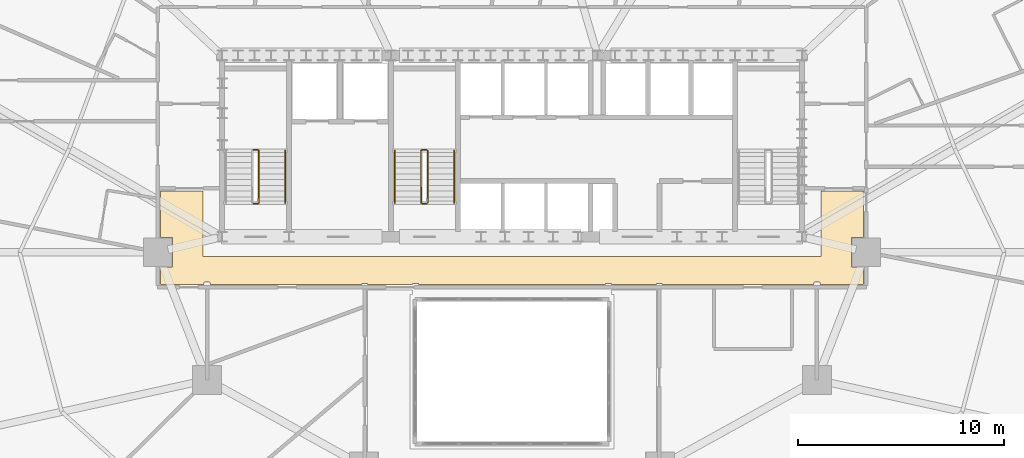
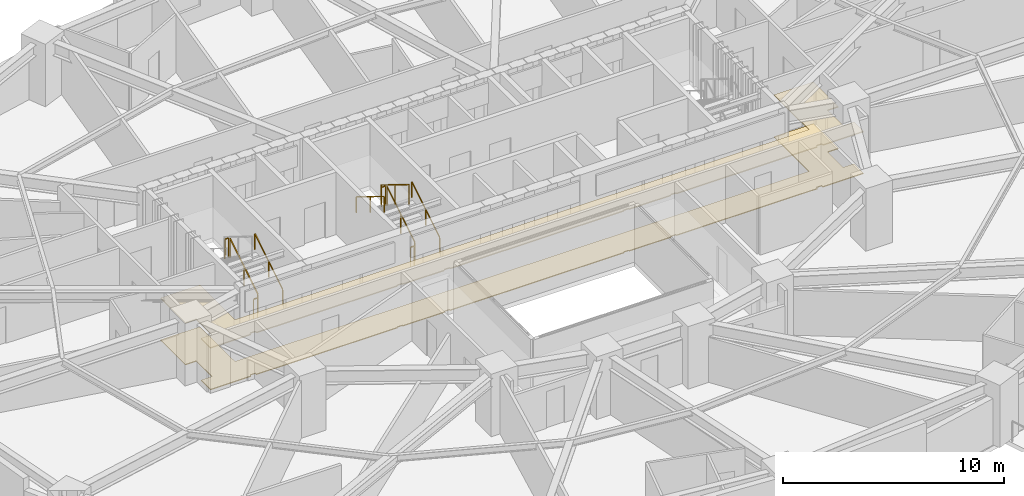
# One storey, part 15 of 17: 10 railings, 2 coverings.
"""IFC4 building model written with IfcOpenShell, lengths in metres."""

from ifc_helpers import new_model, si_unit, direction, frame, origin, origin_2d, place, context, subcontext, project, spatial, polyline, rectangle, outline, extrude, material, layer, layer_set, type_object, element, save


model = new_model("IFC4")

# Units and contexts
model_context = context("Model", 3, precision=1e-05, world=origin(), true_north=direction((0.0, 1.0)))
body_context = subcontext(model_context, "Body", "Model", "MODEL_VIEW")
ifc_project = project(units=[si_unit("LENGTHUNIT", "METRE"), si_unit("AREAUNIT", "SQUARE_METRE"), si_unit("VOLUMEUNIT", "CUBIC_METRE"), si_unit("PLANEANGLEUNIT", "RADIAN"), si_unit("MASSUNIT", "GRAM", prefix="KILO")], contexts=[model_context])

# Site, building, storey
site_placement = place(None, origin())
site = spatial("IfcSite", under=ifc_project, at=site_placement, CompositionType="ELEMENT")
building_placement = place(site_placement, origin())
building = spatial("IfcBuilding", under=site, at=building_placement, Name="Haldorwick Loom Tower", CompositionType="ELEMENT")
storey_placement = place(building_placement, frame((0.0, 0.0, 51.60009765625)))
storey = spatial("IfcBuildingStorey", under=building, at=storey_placement, Name="L13", CompositionType="ELEMENT", Elevation=51.60009765625)

# Coverings
ifc_material_1 = material(Name="Mineral Fibre Acoustic Ceiling Tile")
ifc_layer_1 = layer(ifc_material_1, 0.054931640625, Name="Mineral Fibre Acoustic Ceiling Tile")
ifc_layer_set_1 = layer_set([ifc_layer_1], Name="Mineral Fibre Acoustic Ceiling Tile")
covering_type_1 = type_object("IfcCoveringType", Name="ARC-COV-CEIL2", PredefinedType="CEILING", material=ifc_layer_set_1)
covering_1_placement = place(storey_placement, frame((0.0, 0.0, 2.302001953125)))
element("IfcCovering", 1, at=covering_1_placement, inside=storey, type_object=covering_type_1, Name="L13 Acoustic Suspended Ceiling 2", PredefinedType="CEILING", context=body_context, shape_type="SweptSolid", body=[
    extrude(outline(polyline([(51.0, 28.9599609375), (51.0, 25.800048828125), (21.0, 25.800048828125), (21.0, 28.9599609375), (18.93994140625, 28.9599609375), (18.93994140625, 26.7080078125), (19.508056640625, 26.7080078125), (19.508056640625, 25.2919921875), (18.93994140625, 25.2919921875), (18.93994140625, 24.43994140625), (21.06005859375, 24.43994140625), (21.06005859375, 24.52001953125), (21.06005859375, 24.52197265625), (21.060302734375, 24.52392578125), (21.060791015625, 24.52587890625), (21.0615234375, 24.527587890625), (21.0625, 24.529296875), (21.0634765625, 24.531005859375), (21.064453125, 24.53271484375), (21.06591796875, 24.5341796875), (21.0673828125, 24.535400390625), (21.06884765625, 24.53662109375), (21.070556640625, 24.53759765625), (21.072265625, 24.53857421875), (21.07421875, 24.5390625), (21.076171875, 24.53955078125), (21.077880859375, 24.539794921875), (21.080078125, 24.5400390625), (21.320068359375, 24.5400390625), (21.322021484375, 24.539794921875), (21.323974609375, 24.53955078125), (21.32568359375, 24.5390625), (21.32763671875, 24.53857421875), (21.329345703125, 24.53759765625), (21.3310546875, 24.53662109375), (21.332763671875, 24.535400390625), (21.333984375, 24.5341796875), (21.33544921875, 24.53271484375), (21.336669921875, 24.531005859375), (21.337646484375, 24.529296875), (21.33837890625, 24.527587890625), (21.339111328125, 24.52587890625), (21.339599609375, 24.52392578125), (21.33984375, 24.52197265625), (21.340087890625, 24.52001953125), (21.340087890625, 24.43994140625), (28.7099609375, 24.43994140625), (28.7099609375, 24.469970703125), (28.710205078125, 24.471923828125), (28.71044921875, 24.473876953125), (28.7109375, 24.475830078125), (28.71142578125, 24.477783203125), (28.71240234375, 24.4794921875), (28.71337890625, 24.481201171875), (28.714599609375, 24.482666015625), (28.7158203125, 24.484130859375), (28.71728515625, 24.485595703125), (28.718994140625, 24.486572265625), (28.720703125, 24.487548828125), (28.722412109375, 24.488525390625), (28.72412109375, 24.489013671875), (28.72607421875, 24.489501953125), (28.72802734375, 24.489990234375), (28.72998046875, 24.489990234375), (28.969970703125, 24.489990234375), (28.971923828125, 24.489990234375), (28.973876953125, 24.489501953125), (28.975830078125, 24.489013671875), (28.977783203125, 24.488525390625), (28.9794921875, 24.487548828125), (28.981201171875, 24.486572265625), (28.982666015625, 24.485595703125), (28.984130859375, 24.484130859375), (28.985595703125, 24.482666015625), (28.986572265625, 24.481201171875), (28.987548828125, 24.4794921875), (28.988525390625, 24.477783203125), (28.989013671875, 24.475830078125), (28.989501953125, 24.473876953125), (28.989990234375, 24.471923828125), (28.989990234375, 24.469970703125), (28.989990234375, 24.43994140625), (31.179931640625, 24.43994140625), (31.179931640625, 24.469970703125), (31.18017578125, 24.471923828125), (31.180419921875, 24.473876953125), (31.180908203125, 24.475830078125), (31.181396484375, 24.477783203125), (31.182373046875, 24.4794921875), (31.183349609375, 24.481201171875), (31.1845703125, 24.482666015625), (31.185791015625, 24.484130859375), (31.187255859375, 24.485595703125), (31.18896484375, 24.486572265625), (31.190673828125, 24.487548828125), (31.1923828125, 24.488525390625), (31.194091796875, 24.489013671875), (31.196044921875, 24.489501953125), (31.197998046875, 24.489990234375), (31.199951171875, 24.489990234375), (31.43994140625, 24.489990234375), (31.44189453125, 24.489990234375), (31.44384765625, 24.489501953125), (31.44580078125, 24.489013671875), (31.44775390625, 24.488525390625), (31.449462890625, 24.487548828125), (31.451171875, 24.486572265625), (31.45263671875, 24.485595703125), (31.4541015625, 24.484130859375), (31.45556640625, 24.482666015625), (31.45654296875, 24.481201171875), (31.45751953125, 24.4794921875), (31.45849609375, 24.477783203125), (31.458984375, 24.475830078125), (31.459716796875, 24.473876953125), (31.4599609375, 24.471923828125), (31.4599609375, 24.469970703125), (31.4599609375, 24.43994140625), (40.5400390625, 24.43994140625), (40.5400390625, 24.469970703125), (40.5400390625, 24.471923828125), (40.540283203125, 24.473876953125), (40.541015625, 24.475830078125), (40.54150390625, 24.477783203125), (40.54248046875, 24.4794921875), (40.54345703125, 24.481201171875), (40.54443359375, 24.482666015625), (40.5458984375, 24.484130859375), (40.54736328125, 24.485595703125), (40.548828125, 24.486572265625), (40.550537109375, 24.487548828125), (40.55224609375, 24.488525390625), (40.55419921875, 24.489013671875), (40.55615234375, 24.489501953125), (40.55810546875, 24.489990234375), (40.56005859375, 24.489990234375), (40.800048828125, 24.489990234375), (40.802001953125, 24.489990234375), (40.803955078125, 24.489501953125), (40.805908203125, 24.489013671875), (40.8076171875, 24.488525390625), (40.809326171875, 24.487548828125), (40.81103515625, 24.486572265625), (40.812744140625, 24.485595703125), (40.814208984375, 24.484130859375), (40.8154296875, 24.482666015625), (40.816650390625, 24.481201171875), (40.817626953125, 24.4794921875), (40.818603515625, 24.477783203125), (40.819091796875, 24.475830078125), (40.819580078125, 24.473876953125), (40.81982421875, 24.471923828125), (40.820068359375, 24.469970703125), (40.820068359375, 24.43994140625), (43.010009765625, 24.43994140625), (43.010009765625, 24.469970703125), (43.010009765625, 24.471923828125), (43.010498046875, 24.473876953125), (43.010986328125, 24.475830078125), (43.011474609375, 24.477783203125), (43.012451171875, 24.4794921875), (43.013427734375, 24.481201171875), (43.014404296875, 24.482666015625), (43.015869140625, 24.484130859375), (43.017333984375, 24.485595703125), (43.018798828125, 24.486572265625), (43.0205078125, 24.487548828125), (43.022216796875, 24.488525390625), (43.024169921875, 24.489013671875), (43.026123046875, 24.489501953125), (43.028076171875, 24.489990234375), (43.030029296875, 24.489990234375), (43.27001953125, 24.489990234375), (43.27197265625, 24.489990234375), (43.27392578125, 24.489501953125), (43.27587890625, 24.489013671875), (43.277587890625, 24.488525390625), (43.279296875, 24.487548828125), (43.281005859375, 24.486572265625), (43.28271484375, 24.485595703125), (43.2841796875, 24.484130859375), (43.285400390625, 24.482666015625), (43.28662109375, 24.481201171875), (43.28759765625, 24.4794921875), (43.28857421875, 24.477783203125), (43.2890625, 24.475830078125), (43.28955078125, 24.473876953125), (43.289794921875, 24.471923828125), (43.2900390625, 24.469970703125), (43.2900390625, 24.43994140625), (50.659912109375, 24.43994140625), (50.659912109375, 24.52001953125), (50.66015625, 24.52197265625), (50.660400390625, 24.52392578125), (50.660888671875, 24.52587890625), (50.66162109375, 24.527587890625), (50.662353515625, 24.529296875), (50.663330078125, 24.531005859375), (50.66455078125, 24.53271484375), (50.666015625, 24.5341796875), (50.667236328125, 24.535400390625), (50.6689453125, 24.53662109375), (50.670654296875, 24.53759765625), (50.67236328125, 24.53857421875), (50.67431640625, 24.5390625), (50.676025390625, 24.53955078125), (50.677978515625, 24.539794921875), (50.679931640625, 24.5400390625), (50.919921875, 24.5400390625), (50.922119140625, 24.539794921875), (50.923828125, 24.53955078125), (50.92578125, 24.5390625), (50.927734375, 24.53857421875), (50.929443359375, 24.53759765625), (50.93115234375, 24.53662109375), (50.9326171875, 24.535400390625), (50.93408203125, 24.5341796875), (50.935546875, 24.53271484375), (50.9365234375, 24.531005859375), (50.9375, 24.529296875), (50.9384765625, 24.527587890625), (50.939208984375, 24.52587890625), (50.939697265625, 24.52392578125), (50.93994140625, 24.52197265625), (50.93994140625, 24.52001953125), (50.93994140625, 24.43994140625), (53.06005859375, 24.43994140625), (53.06005859375, 25.2919921875), (52.491943359375, 25.2919921875), (52.491943359375, 26.7080078125), (53.06005859375, 26.7080078125), (53.06005859375, 28.9599609375), (51.0, 28.9599609375)])), origin(), (0.0, 0.0, 1.0), 0.054931640625),
])
ifc_material_2 = material(Name="Polished Aggregate Terrazzo Finish")
ifc_layer_2 = layer(ifc_material_2, 0.044921875, Name="Polished Aggregate Terrazzo Finish")
ifc_layer_set_2 = layer_set([ifc_layer_2], Name="Polished Aggregate Terrazzo Finish")
covering_type_2 = type_object("IfcCoveringType", Name="ARC-COV-FLOOR2", PredefinedType="FLOORING", material=ifc_layer_set_2)
covering_2_placement = place(storey_placement, origin())
element("IfcCovering", 2, at=covering_2_placement, inside=storey, type_object=covering_type_2, Name="L13 Floor Finish 2", PredefinedType="FLOORING", context=body_context, shape_type="SweptSolid", body=[
    extrude(outline(polyline([(51.0, 28.9599609375), (51.0, 25.800048828125), (21.0, 25.800048828125), (21.0, 28.9599609375), (18.93994140625, 28.9599609375), (18.93994140625, 26.7080078125), (19.508056640625, 26.7080078125), (19.508056640625, 25.2919921875), (18.93994140625, 25.2919921875), (18.93994140625, 24.43994140625), (21.06005859375, 24.43994140625), (21.06005859375, 24.52001953125), (21.06005859375, 24.52197265625), (21.060302734375, 24.52392578125), (21.060791015625, 24.52587890625), (21.0615234375, 24.527587890625), (21.0625, 24.529296875), (21.0634765625, 24.531005859375), (21.064453125, 24.53271484375), (21.06591796875, 24.5341796875), (21.0673828125, 24.535400390625), (21.06884765625, 24.53662109375), (21.070556640625, 24.53759765625), (21.072265625, 24.53857421875), (21.07421875, 24.5390625), (21.076171875, 24.53955078125), (21.077880859375, 24.539794921875), (21.080078125, 24.5400390625), (21.320068359375, 24.5400390625), (21.322021484375, 24.539794921875), (21.323974609375, 24.53955078125), (21.32568359375, 24.5390625), (21.32763671875, 24.53857421875), (21.329345703125, 24.53759765625), (21.3310546875, 24.53662109375), (21.332763671875, 24.535400390625), (21.333984375, 24.5341796875), (21.33544921875, 24.53271484375), (21.336669921875, 24.531005859375), (21.337646484375, 24.529296875), (21.33837890625, 24.527587890625), (21.339111328125, 24.52587890625), (21.339599609375, 24.52392578125), (21.33984375, 24.52197265625), (21.340087890625, 24.52001953125), (21.340087890625, 24.43994140625), (28.7099609375, 24.43994140625), (28.7099609375, 24.469970703125), (28.710205078125, 24.471923828125), (28.71044921875, 24.473876953125), (28.7109375, 24.475830078125), (28.71142578125, 24.477783203125), (28.71240234375, 24.4794921875), (28.71337890625, 24.481201171875), (28.714599609375, 24.482666015625), (28.7158203125, 24.484130859375), (28.71728515625, 24.485595703125), (28.718994140625, 24.486572265625), (28.720703125, 24.487548828125), (28.722412109375, 24.488525390625), (28.72412109375, 24.489013671875), (28.72607421875, 24.489501953125), (28.72802734375, 24.489990234375), (28.72998046875, 24.489990234375), (28.969970703125, 24.489990234375), (28.971923828125, 24.489990234375), (28.973876953125, 24.489501953125), (28.975830078125, 24.489013671875), (28.977783203125, 24.488525390625), (28.9794921875, 24.487548828125), (28.981201171875, 24.486572265625), (28.982666015625, 24.485595703125), (28.984130859375, 24.484130859375), (28.985595703125, 24.482666015625), (28.986572265625, 24.481201171875), (28.987548828125, 24.4794921875), (28.988525390625, 24.477783203125), (28.989013671875, 24.475830078125), (28.989501953125, 24.473876953125), (28.989990234375, 24.471923828125), (28.989990234375, 24.469970703125), (28.989990234375, 24.43994140625), (31.179931640625, 24.43994140625), (31.179931640625, 24.469970703125), (31.18017578125, 24.471923828125), (31.180419921875, 24.473876953125), (31.180908203125, 24.475830078125), (31.181396484375, 24.477783203125), (31.182373046875, 24.4794921875), (31.183349609375, 24.481201171875), (31.1845703125, 24.482666015625), (31.185791015625, 24.484130859375), (31.187255859375, 24.485595703125), (31.18896484375, 24.486572265625), (31.190673828125, 24.487548828125), (31.1923828125, 24.488525390625), (31.194091796875, 24.489013671875), (31.196044921875, 24.489501953125), (31.197998046875, 24.489990234375), (31.199951171875, 24.489990234375), (31.43994140625, 24.489990234375), (31.44189453125, 24.489990234375), (31.44384765625, 24.489501953125), (31.44580078125, 24.489013671875), (31.44775390625, 24.488525390625), (31.449462890625, 24.487548828125), (31.451171875, 24.486572265625), (31.45263671875, 24.485595703125), (31.4541015625, 24.484130859375), (31.45556640625, 24.482666015625), (31.45654296875, 24.481201171875), (31.45751953125, 24.4794921875), (31.45849609375, 24.477783203125), (31.458984375, 24.475830078125), (31.459716796875, 24.473876953125), (31.4599609375, 24.471923828125), (31.4599609375, 24.469970703125), (31.4599609375, 24.43994140625), (40.5400390625, 24.43994140625), (40.5400390625, 24.469970703125), (40.5400390625, 24.471923828125), (40.540283203125, 24.473876953125), (40.541015625, 24.475830078125), (40.54150390625, 24.477783203125), (40.54248046875, 24.4794921875), (40.54345703125, 24.481201171875), (40.54443359375, 24.482666015625), (40.5458984375, 24.484130859375), (40.54736328125, 24.485595703125), (40.548828125, 24.486572265625), (40.550537109375, 24.487548828125), (40.55224609375, 24.488525390625), (40.55419921875, 24.489013671875), (40.55615234375, 24.489501953125), (40.55810546875, 24.489990234375), (40.56005859375, 24.489990234375), (40.800048828125, 24.489990234375), (40.802001953125, 24.489990234375), (40.803955078125, 24.489501953125), (40.805908203125, 24.489013671875), (40.8076171875, 24.488525390625), (40.809326171875, 24.487548828125), (40.81103515625, 24.486572265625), (40.812744140625, 24.485595703125), (40.814208984375, 24.484130859375), (40.8154296875, 24.482666015625), (40.816650390625, 24.481201171875), (40.817626953125, 24.4794921875), (40.818603515625, 24.477783203125), (40.819091796875, 24.475830078125), (40.819580078125, 24.473876953125), (40.81982421875, 24.471923828125), (40.820068359375, 24.469970703125), (40.820068359375, 24.43994140625), (43.010009765625, 24.43994140625), (43.010009765625, 24.469970703125), (43.010009765625, 24.471923828125), (43.010498046875, 24.473876953125), (43.010986328125, 24.475830078125), (43.011474609375, 24.477783203125), (43.012451171875, 24.4794921875), (43.013427734375, 24.481201171875), (43.014404296875, 24.482666015625), (43.015869140625, 24.484130859375), (43.017333984375, 24.485595703125), (43.018798828125, 24.486572265625), (43.0205078125, 24.487548828125), (43.022216796875, 24.488525390625), (43.024169921875, 24.489013671875), (43.026123046875, 24.489501953125), (43.028076171875, 24.489990234375), (43.030029296875, 24.489990234375), (43.27001953125, 24.489990234375), (43.27197265625, 24.489990234375), (43.27392578125, 24.489501953125), (43.27587890625, 24.489013671875), (43.277587890625, 24.488525390625), (43.279296875, 24.487548828125), (43.281005859375, 24.486572265625), (43.28271484375, 24.485595703125), (43.2841796875, 24.484130859375), (43.285400390625, 24.482666015625), (43.28662109375, 24.481201171875), (43.28759765625, 24.4794921875), (43.28857421875, 24.477783203125), (43.2890625, 24.475830078125), (43.28955078125, 24.473876953125), (43.289794921875, 24.471923828125), (43.2900390625, 24.469970703125), (43.2900390625, 24.43994140625), (50.659912109375, 24.43994140625), (50.659912109375, 24.52001953125), (50.66015625, 24.52197265625), (50.660400390625, 24.52392578125), (50.660888671875, 24.52587890625), (50.66162109375, 24.527587890625), (50.662353515625, 24.529296875), (50.663330078125, 24.531005859375), (50.66455078125, 24.53271484375), (50.666015625, 24.5341796875), (50.667236328125, 24.535400390625), (50.6689453125, 24.53662109375), (50.670654296875, 24.53759765625), (50.67236328125, 24.53857421875), (50.67431640625, 24.5390625), (50.676025390625, 24.53955078125), (50.677978515625, 24.539794921875), (50.679931640625, 24.5400390625), (50.919921875, 24.5400390625), (50.922119140625, 24.539794921875), (50.923828125, 24.53955078125), (50.92578125, 24.5390625), (50.927734375, 24.53857421875), (50.929443359375, 24.53759765625), (50.93115234375, 24.53662109375), (50.9326171875, 24.535400390625), (50.93408203125, 24.5341796875), (50.935546875, 24.53271484375), (50.9365234375, 24.531005859375), (50.9375, 24.529296875), (50.9384765625, 24.527587890625), (50.939208984375, 24.52587890625), (50.939697265625, 24.52392578125), (50.93994140625, 24.52197265625), (50.93994140625, 24.52001953125), (50.93994140625, 24.43994140625), (53.06005859375, 24.43994140625), (53.06005859375, 25.2919921875), (52.491943359375, 25.2919921875), (52.491943359375, 26.7080078125), (53.06005859375, 26.7080078125), (53.06005859375, 28.9599609375), (51.0, 28.9599609375)])), origin(), (0.0, 0.0, 1.0), 0.044921875),
])

# Railings
ifc_material_3 = material(Name="Steel CSA G40.21 350W", Category="steel")
railing_type_1 = type_object("IfcRailingType", Name="ARC-RLG-GUARD112", PredefinedType="GUARDRAIL", material=ifc_material_3)
railing_1_placement = place(storey_placement, frame((23.699951171875, 28.39990234375, 0.17236328125)))
element("IfcRailing", 3, at=railing_1_placement, inside=storey, type_object=railing_type_1, Name="L13 ST-01 stair guard 1", PredefinedType="GUARDRAIL", context=body_context, shape_type="SweptSolid", body=[
    extrude(rectangle(XDim=0.048095703125, YDim=0.048095703125, at=origin_2d()), frame((0.0, 0.0, 1.076171875), z_axis=(0.0, 0.851400495292, 0.524516154772), x_axis=(-1.0, 0.0, 0.0)), (0.0, 0.0, 1.0), 2.9599609375),
    extrude(rectangle(XDim=0.0419921875, YDim=0.0419921875, at=origin_2d()), origin(), (0.0, 0.0, 1.0), 1.052001953125),
    extrude(rectangle(XDim=0.0419921875, YDim=0.0419921875, at=origin_2d()), frame((0.0, 1.260009765625, 0.7763671875)), (0.0, 0.0, 1.0), 1.052001953125),
    extrude(rectangle(XDim=0.0419921875, YDim=0.0419921875, at=origin_2d()), frame((0.0, 2.52001953125, 1.552490234375)), (0.0, 0.0, 1.0), 1.052001953125),
])
for number, where, name in (
    (4, (23.64990234375, 30.969970703125, 1.724853515625), "L13 ST-01 stair guard 2"),
    (5, (23.64990234375, 28.35009765625, 0.0), "L13 ST-01 stair guard 4"),
):
    element("IfcRailing", number, at=place(storey_placement, frame(where)), inside=storey, type_object=railing_type_1, Name=name, PredefinedType="GUARDRAIL", context=body_context, shape_type="SweptSolid", body=[
        extrude(rectangle(XDim=0.048095703125, YDim=0.048095703125, at=origin_2d()), frame((0.0, 0.0, 1.076171875), z_axis=(-1.0, 0.0, 0.0), x_axis=(0.0, -1.0, 0.0)), (0.0, 0.0, 1.0), 0.199951171875),
        extrude(rectangle(XDim=0.0419921875, YDim=0.0419921875, at=origin_2d()), origin(), (0.0, 0.0, 1.0), 1.052001953125),
        extrude(rectangle(XDim=0.0419921875, YDim=0.0419921875, at=origin_2d()), frame((-0.199951171875, 0.0, 0.0)), (0.0, 0.0, 1.0), 1.052001953125),
    ])
railing_2_placement = place(storey_placement, frame((31.89990234375, 28.39990234375, 0.17236328125)))
element("IfcRailing", 6, at=railing_2_placement, inside=storey, type_object=railing_type_1, Name="L13 ST-03 stair guard 1", PredefinedType="GUARDRAIL", context=body_context, shape_type="SweptSolid", body=[
    extrude(rectangle(XDim=0.048095703125, YDim=0.048095703125, at=origin_2d()), frame((0.0, 0.0, 1.076171875), z_axis=(0.0, 0.851400495292, 0.524516154772), x_axis=(-1.0, 0.0, 0.0)), (0.0, 0.0, 1.0), 2.9599609375),
    extrude(rectangle(XDim=0.0419921875, YDim=0.0419921875, at=origin_2d()), origin(), (0.0, 0.0, 1.0), 1.052001953125),
    extrude(rectangle(XDim=0.0419921875, YDim=0.0419921875, at=origin_2d()), frame((0.0, 1.260009765625, 0.7763671875)), (0.0, 0.0, 1.0), 1.052001953125),
    extrude(rectangle(XDim=0.0419921875, YDim=0.0419921875, at=origin_2d()), frame((0.0, 2.52001953125, 1.552490234375)), (0.0, 0.0, 1.0), 1.052001953125),
])
railing_3_placement = place(storey_placement, frame((31.85009765625, 30.969970703125, 1.724853515625)))
element("IfcRailing", 7, at=railing_3_placement, inside=storey, type_object=railing_type_1, Name="L13 ST-03 stair guard 2", PredefinedType="GUARDRAIL", context=body_context, shape_type="SweptSolid", body=[
    extrude(rectangle(XDim=0.048095703125, YDim=0.048095703125, at=origin_2d()), frame((0.0, 0.0, 1.076171875), z_axis=(-1.0, 0.0, 0.0), x_axis=(0.0, -1.0, 0.0)), (0.0, 0.0, 1.0), 0.2001953125),
    extrude(rectangle(XDim=0.0419921875, YDim=0.0419921875, at=origin_2d()), origin(), (0.0, 0.0, 1.0), 1.052001953125),
    extrude(rectangle(XDim=0.0419921875, YDim=0.0419921875, at=origin_2d()), frame((-0.2001953125, 0.0, 0.0)), (0.0, 0.0, 1.0), 1.052001953125),
])
railing_4_placement = place(storey_placement, frame((31.60009765625, 30.919921875, 1.8974609375)))
element("IfcRailing", 8, at=railing_4_placement, inside=storey, type_object=railing_type_1, Name="L13 ST-03 stair guard 3", PredefinedType="GUARDRAIL", context=body_context, shape_type="SweptSolid", body=[
    extrude(rectangle(XDim=0.048095703125, YDim=0.048095703125, at=origin_2d()), frame((0.0, 0.0, 1.076171875), z_axis=(0.0, -0.851400495292, 0.524516154772), x_axis=(1.0, 0.0, 0.0)), (0.0, 0.0, 1.0), 2.9599609375),
    extrude(rectangle(XDim=0.0419921875, YDim=0.0419921875, at=origin_2d()), origin(), (0.0, 0.0, 1.0), 1.052001953125),
    extrude(rectangle(XDim=0.0419921875, YDim=0.0419921875, at=origin_2d()), frame((0.0, -1.260009765625, 0.7763671875)), (0.0, 0.0, 1.0), 1.052001953125),
    extrude(rectangle(XDim=0.0419921875, YDim=0.0419921875, at=origin_2d()), frame((0.0, -2.52001953125, 1.552490234375)), (0.0, 0.0, 1.0), 1.052001953125),
])
railing_5_placement = place(storey_placement, frame((31.85009765625, 28.35009765625, 0.0)))
element("IfcRailing", 9, at=railing_5_placement, inside=storey, type_object=railing_type_1, Name="L13 ST-03 stair guard 4", PredefinedType="GUARDRAIL", context=body_context, shape_type="SweptSolid", body=[
    extrude(rectangle(XDim=0.048095703125, YDim=0.048095703125, at=origin_2d()), frame((0.0, 0.0, 1.076171875), z_axis=(-1.0, 0.0, 0.0), x_axis=(0.0, -1.0, 0.0)), (0.0, 0.0, 1.0), 0.2001953125),
    extrude(rectangle(XDim=0.0419921875, YDim=0.0419921875, at=origin_2d()), origin(), (0.0, 0.0, 1.0), 1.052001953125),
    extrude(rectangle(XDim=0.0419921875, YDim=0.0419921875, at=origin_2d()), frame((-0.2001953125, 0.0, 0.0)), (0.0, 0.0, 1.0), 1.052001953125),
])
railing_type_2 = type_object("IfcRailingType", Name="ARC-RLG-HAND092", PredefinedType="HANDRAIL", material=ifc_material_3)
for number, where, name in (
    (10, (25.0, 28.39990234375, 0.17236328125), "L13 ST-01 stair handrail 1"),
    (11, (33.199951171875, 28.39990234375, 0.17236328125), "L13 ST-03 stair handrail 1"),
):
    element("IfcRailing", number, at=place(storey_placement, frame(where)), inside=storey, type_object=railing_type_2, Name=name, PredefinedType="HANDRAIL", context=body_context, shape_type="SweptSolid", body=[
        extrude(rectangle(XDim=0.048095703125, YDim=0.048095703125, at=origin_2d()), frame((0.0, 0.0, 0.8759765625), z_axis=(0.0, 0.851400495292, 0.524516154772), x_axis=(-1.0, 0.0, 0.0)), (0.0, 0.0, 1.0), 2.9599609375),
        extrude(rectangle(XDim=0.0419921875, YDim=0.0419921875, at=origin_2d()), origin(), (0.0, 0.0, 1.0), 0.851806640625),
        extrude(rectangle(XDim=0.0419921875, YDim=0.0419921875, at=origin_2d()), frame((0.0, 1.260009765625, 0.7763671875)), (0.0, 0.0, 1.0), 0.851806640625),
        extrude(rectangle(XDim=0.0419921875, YDim=0.0419921875, at=origin_2d()), frame((0.0, 2.52001953125, 1.552490234375)), (0.0, 0.0, 1.0), 0.851806640625),
    ])
railing_6_placement = place(storey_placement, frame((30.300048828125, 30.919921875, 1.8974609375)))
element("IfcRailing", 12, at=railing_6_placement, inside=storey, type_object=railing_type_2, Name="L13 ST-03 stair handrail 2", PredefinedType="HANDRAIL", context=body_context, shape_type="SweptSolid", body=[
    extrude(rectangle(XDim=0.048095703125, YDim=0.048095703125, at=origin_2d()), frame((0.0, 0.0, 0.8759765625), z_axis=(0.0, -0.851400495292, 0.524516154772), x_axis=(1.0, 0.0, 0.0)), (0.0, 0.0, 1.0), 2.9599609375),
    extrude(rectangle(XDim=0.0419921875, YDim=0.0419921875, at=origin_2d()), origin(), (0.0, 0.0, 1.0), 0.851806640625),
    extrude(rectangle(XDim=0.0419921875, YDim=0.0419921875, at=origin_2d()), frame((0.0, -1.260009765625, 0.7763671875)), (0.0, 0.0, 1.0), 0.851806640625),
    extrude(rectangle(XDim=0.0419921875, YDim=0.0419921875, at=origin_2d()), frame((0.0, -2.52001953125, 1.552490234375)), (0.0, 0.0, 1.0), 0.851806640625),
])

save(model, "model.ifc")
